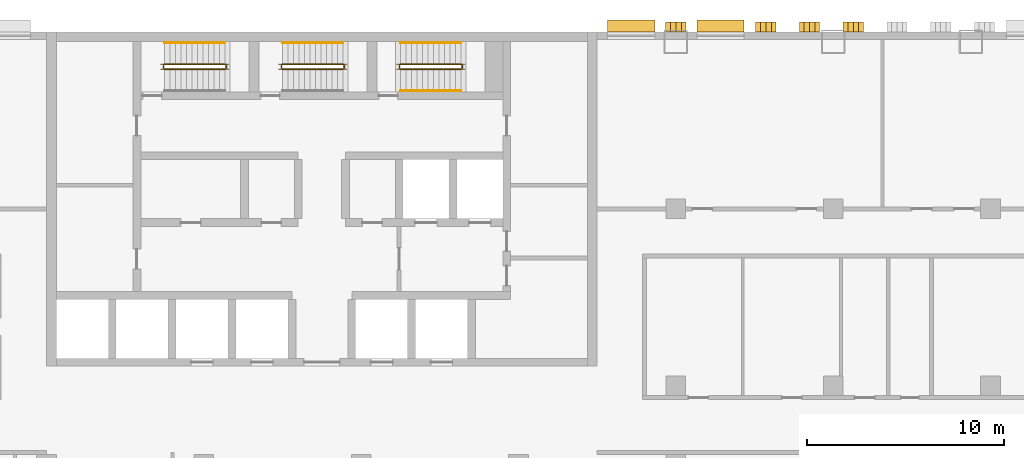
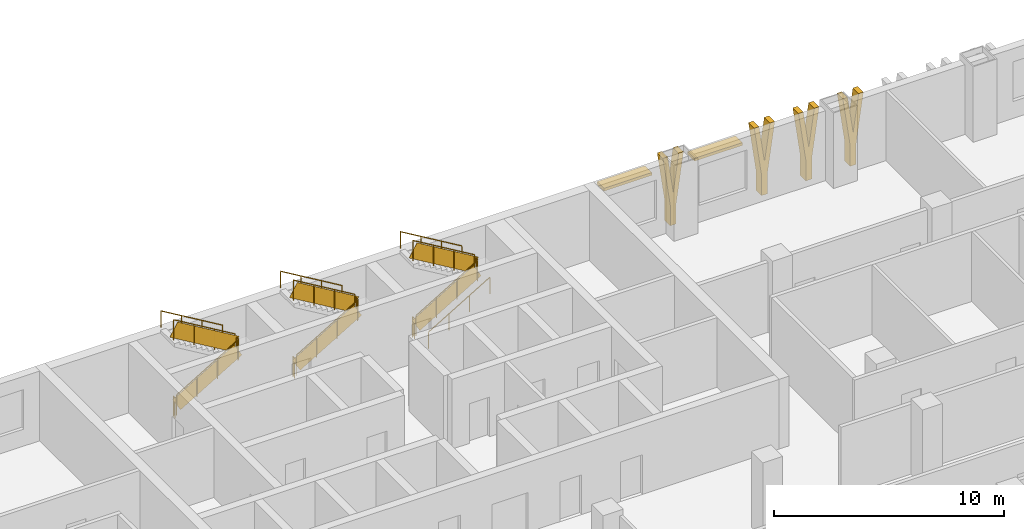
# One storey, part 24 of 25: 16 railings, 6 shading devices.
"""IFC4 building model written with IfcOpenShell, lengths in metres."""

from ifc_helpers import new_model, si_unit, direction, frame, origin, origin_2d, place, context, subcontext, project, spatial, polyline, rectangle, circle, outline, extrude, material, layer, layer_set, type_object, element, save


model = new_model("IFC4")

# Units and contexts
model_context = context("Model", 3, precision=1e-05, world=origin(), true_north=direction((0.0, 1.0)))
body_context = subcontext(model_context, "Body", "Model", "MODEL_VIEW")
ifc_project = project(units=[si_unit("LENGTHUNIT", "METRE"), si_unit("AREAUNIT", "SQUARE_METRE"), si_unit("VOLUMEUNIT", "CUBIC_METRE"), si_unit("PLANEANGLEUNIT", "RADIAN"), si_unit("MASSUNIT", "GRAM", prefix="KILO")], contexts=[model_context])

# Site, building, storey
site_placement = place(None, origin())
site = spatial("IfcSite", under=ifc_project, at=site_placement, CompositionType="ELEMENT")
building_placement = place(site_placement, origin())
building = spatial("IfcBuilding", under=site, at=building_placement, Name="Vidyagriha Tower", CompositionType="ELEMENT")
storey_placement = place(building_placement, frame((0.0, 0.0, 14.0)))
storey = spatial("IfcBuildingStorey", under=building, at=storey_placement, Name="L03", CompositionType="ELEMENT", Elevation=14.0)

# Shading devices
ifc_material_1 = material(Name="Precast concrete C40/50 with brick facing", Category="concrete")
ifc_layer_1 = layer(ifc_material_1, 0.14990234375)
ifc_layer_set_1 = layer_set([ifc_layer_1], Name="Precast concrete C40/50 with brick facing")
shading_device_type_1 = type_object("IfcShadingDeviceType", Name="Brick chhajja window hood", PredefinedType="AWNING", material=ifc_layer_set_1)
for number, where, z_axis, x_axis, name in (
    (1, (20.264892578125, 20.300048828125, 3.0), (0.0, 0.0, 1.0), (-1.0, 0.0, 0.0), "Window hood L03 R02.12"),
    (2, (15.735107421875, 20.300048828125, 3.0), (0.0, 0.0, 1.0), (-1.0, 0.0, 0.0), "Window hood L03 R02.14"),
):
    element("IfcShadingDevice", number, at=place(storey_placement, frame(where, z_axis=z_axis, x_axis=x_axis)), inside=storey, type_object=shading_device_type_1, Name=name, PredefinedType="AWNING", context=body_context, shape_type="SweptSolid", body=[
        extrude(rectangle(XDim=2.39990234375, YDim=0.60009765625, at=origin_2d()), origin(), (0.0, 0.0, 1.0), 0.14990234375),
    ])
ifc_material_2 = material(Name="Precast concrete C40/50 with buff brick facing", Category="concrete")
ifc_layer_2 = layer(ifc_material_2, 0.300048828125)
ifc_layer_set_2 = layer_set([ifc_layer_2], Name="Precast concrete C40/50 with buff brick facing")
shading_device_type_2 = type_object("IfcShadingDeviceType", Name="Brick-faced podium blade forking 8 degrees", PredefinedType="USERDEFINED", material=ifc_layer_set_2)
for number, where, z_axis, x_axis, name in (
    (3, (27.53662109375, 20.25, 0.0), (0.0, 0.0, 1.0), (-1.0, 0.0, 0.0), "Podium blade L03 R02.1258"),
    (4, (25.314208984375, 20.25, 0.0), (0.0, 0.0, 1.0), (-1.0, 0.0, 0.0), "Podium blade L03 R02.1480"),
    (5, (23.091796875, 20.25, 0.0), (0.0, 0.0, 1.0), (-1.0, 0.0, 0.0), "Podium blade L03 R02.1702"),
    (6, (18.515380859375, 20.25, 0.0), (0.0, 0.0, 1.0), (-1.0, 0.0, 0.0), "Podium blade L03 R02.2160"),
):
    element("IfcShadingDevice", number, at=place(storey_placement, frame(where, z_axis=z_axis, x_axis=x_axis)), inside=storey, type_object=shading_device_type_2, Name=name, ObjectType="BLADE FIN", PredefinedType="USERDEFINED", context=body_context, shape_type="SweptSolid", body=[
        extrude(outline(polyline([(0.665283203125, 0.0), (0.665283203125, 1.10009765625), (1.03076171875, 3.699951171875), (0.790771484375, 3.699951171875), (0.515380859375, 1.740478515625), (0.239990234375, 3.699951171875), (0.0, 3.699951171875), (0.365478515625, 1.10009765625), (0.365478515625, 0.0), (0.665283203125, 0.0)])), frame((0.0, 0.25, 0.0), z_axis=(0.0, -1.0, 0.0), x_axis=(1.0, 0.0, 0.0)), (0.0, 0.0, 1.0), 0.5),
    ])

# Railings
ifc_material_3 = material(Name="Steel ASTM A500 Grade C", Category="steel")
railing_type_1 = type_object("IfcRailingType", Name="Stair guard 1100 mm, steel balustrade", PredefinedType="GUARDRAIL", material=ifc_material_3)
railing_1_placement = place(storey_placement, frame((-8.0, 18.10009765625, 0.166748046875)))
element("IfcRailing", 7, at=railing_1_placement, inside=storey, type_object=railing_type_1, Name="L03 ST1 stair guard 1", PredefinedType="GUARDRAIL", context=body_context, shape_type="SweptSolid", body=[
    extrude(circle(Radius=0.02392578125, at=origin_2d()), frame((0.0, 0.0, 1.076171875), z_axis=(0.859308565015, 0.0, 0.511457515432), x_axis=(0.0, 1.0, 0.0)), (0.0, 0.0, 1.0), 3.58447265625),
    extrude(circle(Radius=0.02099609375, at=origin_2d()), origin(), (0.0, 0.0, 1.0), 1.052001953125),
    extrude(circle(Radius=0.02099609375, at=origin_2d()), frame((1.026611328125, 0.0, 0.611083984375)), (0.0, 0.0, 1.0), 1.052001953125),
    extrude(circle(Radius=0.02099609375, at=origin_2d()), frame((2.053466796875, 0.0, 1.22216796875)), (0.0, 0.0, 1.0), 1.052001953125),
    extrude(circle(Radius=0.02099609375, at=origin_2d()), frame((3.080078125, 0.0, 1.833251953125)), (0.0, 0.0, 1.0), 1.052001953125),
    extrude(rectangle(XDim=0.010009765625, YDim=0.775146484375, at=origin_2d()), frame((0.0, 0.0, 0.551025390625), z_axis=(0.859308565015, 0.0, 0.511457515432), x_axis=(0.0, 1.0, 0.0)), (0.0, 0.0, 1.0), 3.58447265625),
])
railing_2_placement = place(storey_placement, frame((-4.8701171875, 18.14990234375, 2.0)))
element("IfcRailing", 8, at=railing_2_placement, inside=storey, type_object=railing_type_1, Name="L03 ST1 stair guard 2", PredefinedType="GUARDRAIL", context=body_context, shape_type="SweptSolid", body=[
    extrude(circle(Radius=0.02392578125, at=origin_2d()), frame((0.0, 0.0, 1.076171875), z_axis=(0.0, 1.0, 0.0), x_axis=(-1.0, 0.0, 0.0)), (0.0, 0.0, 1.0), 0.150146484375),
    extrude(circle(Radius=0.02099609375, at=origin_2d()), origin(), (0.0, 0.0, 1.0), 1.052001953125),
    extrude(circle(Radius=0.02099609375, at=origin_2d()), frame((0.0, 0.150146484375, 0.0)), (0.0, 0.0, 1.0), 1.052001953125),
    extrude(rectangle(XDim=0.010009765625, YDim=0.902099609375, at=origin_2d()), frame((0.0, 0.0, 0.551025390625), z_axis=(0.0, 1.0, 0.0), x_axis=(-1.0, 0.0, 0.0)), (0.0, 0.0, 1.0), 0.150146484375),
])
railing_3_placement = place(storey_placement, frame((-4.919921875, 18.35009765625, 2.166748046875)))
element("IfcRailing", 9, at=railing_3_placement, inside=storey, type_object=railing_type_1, Name="L03 ST1 stair guard 3", PredefinedType="GUARDRAIL", context=body_context, shape_type="SweptSolid", body=[
    extrude(circle(Radius=0.02392578125, at=origin_2d()), frame((0.0, 0.0, 1.076171875), z_axis=(-0.859308565015, 0.0, 0.511457515432), x_axis=(0.0, -1.0, 0.0)), (0.0, 0.0, 1.0), 3.58447265625),
    extrude(circle(Radius=0.02099609375, at=origin_2d()), origin(), (0.0, 0.0, 1.0), 1.052001953125),
    extrude(circle(Radius=0.02099609375, at=origin_2d()), frame((-1.026611328125, 0.0, 0.611083984375)), (0.0, 0.0, 1.0), 1.052001953125),
    extrude(circle(Radius=0.02099609375, at=origin_2d()), frame((-2.053466796875, 0.0, 1.22216796875)), (0.0, 0.0, 1.0), 1.052001953125),
    extrude(circle(Radius=0.02099609375, at=origin_2d()), frame((-3.080078125, 0.0, 1.833251953125)), (0.0, 0.0, 1.0), 1.052001953125),
    extrude(rectangle(XDim=0.010009765625, YDim=0.775146484375, at=origin_2d()), frame((0.0, 0.0, 0.551025390625), z_axis=(-0.859308565015, 0.0, 0.511457515432), x_axis=(0.0, -1.0, 0.0)), (0.0, 0.0, 1.0), 3.58447265625),
])
railing_4_placement = place(storey_placement, frame((-8.050048828125, 18.14990234375, 0.0)))
element("IfcRailing", 10, at=railing_4_placement, inside=storey, type_object=railing_type_1, Name="L03 ST1 stair guard 4", PredefinedType="GUARDRAIL", context=body_context, shape_type="SweptSolid", body=[
    extrude(circle(Radius=0.02392578125, at=origin_2d()), frame((0.0, 0.0, 1.076171875), z_axis=(0.0, 1.0, 0.0), x_axis=(-1.0, 0.0, 0.0)), (0.0, 0.0, 1.0), 0.150146484375),
    extrude(circle(Radius=0.02099609375, at=origin_2d()), origin(), (0.0, 0.0, 1.0), 1.052001953125),
    extrude(circle(Radius=0.02099609375, at=origin_2d()), frame((0.0, 0.150146484375, 0.0)), (0.0, 0.0, 1.0), 1.052001953125),
    extrude(rectangle(XDim=0.010009765625, YDim=0.902099609375, at=origin_2d()), frame((0.0, 0.0, 0.551025390625), z_axis=(0.0, 1.0, 0.0), x_axis=(-1.0, 0.0, 0.0)), (0.0, 0.0, 1.0), 0.150146484375),
])
railing_5_placement = place(storey_placement, frame((-2.0, 18.10009765625, 0.166748046875)))
element("IfcRailing", 11, at=railing_5_placement, inside=storey, type_object=railing_type_1, Name="L03 ST2 stair guard 1", PredefinedType="GUARDRAIL", context=body_context, shape_type="SweptSolid", body=[
    extrude(circle(Radius=0.02392578125, at=origin_2d()), frame((0.0, 0.0, 1.076171875), z_axis=(0.859308565015, 0.0, 0.511457515432), x_axis=(0.0, 1.0, 0.0)), (0.0, 0.0, 1.0), 3.58447265625),
    extrude(circle(Radius=0.02099609375, at=origin_2d()), origin(), (0.0, 0.0, 1.0), 1.052001953125),
    extrude(circle(Radius=0.02099609375, at=origin_2d()), frame((1.026611328125, 0.0, 0.611083984375)), (0.0, 0.0, 1.0), 1.052001953125),
    extrude(circle(Radius=0.02099609375, at=origin_2d()), frame((2.053466796875, 0.0, 1.22216796875)), (0.0, 0.0, 1.0), 1.052001953125),
    extrude(circle(Radius=0.02099609375, at=origin_2d()), frame((3.080078125, 0.0, 1.833251953125)), (0.0, 0.0, 1.0), 1.052001953125),
    extrude(rectangle(XDim=0.010009765625, YDim=0.775146484375, at=origin_2d()), frame((0.0, 0.0, 0.551025390625), z_axis=(0.859308565015, 0.0, 0.511457515432), x_axis=(0.0, 1.0, 0.0)), (0.0, 0.0, 1.0), 3.58447265625),
])
railing_6_placement = place(storey_placement, frame((1.1298828125, 18.14990234375, 2.0)))
element("IfcRailing", 12, at=railing_6_placement, inside=storey, type_object=railing_type_1, Name="L03 ST2 stair guard 2", PredefinedType="GUARDRAIL", context=body_context, shape_type="SweptSolid", body=[
    extrude(circle(Radius=0.02392578125, at=origin_2d()), frame((0.0, 0.0, 1.076171875), z_axis=(0.0, 1.0, 0.0), x_axis=(-1.0, 0.0, 0.0)), (0.0, 0.0, 1.0), 0.150146484375),
    extrude(circle(Radius=0.02099609375, at=origin_2d()), origin(), (0.0, 0.0, 1.0), 1.052001953125),
    extrude(circle(Radius=0.02099609375, at=origin_2d()), frame((0.0, 0.150146484375, 0.0)), (0.0, 0.0, 1.0), 1.052001953125),
    extrude(rectangle(XDim=0.010009765625, YDim=0.902099609375, at=origin_2d()), frame((0.0, 0.0, 0.551025390625), z_axis=(0.0, 1.0, 0.0), x_axis=(-1.0, 0.0, 0.0)), (0.0, 0.0, 1.0), 0.150146484375),
])
railing_7_placement = place(storey_placement, frame((1.080078125, 18.35009765625, 2.166748046875)))
element("IfcRailing", 13, at=railing_7_placement, inside=storey, type_object=railing_type_1, Name="L03 ST2 stair guard 3", PredefinedType="GUARDRAIL", context=body_context, shape_type="SweptSolid", body=[
    extrude(circle(Radius=0.02392578125, at=origin_2d()), frame((0.0, 0.0, 1.076171875), z_axis=(-0.859308565015, 0.0, 0.511457515432), x_axis=(0.0, -1.0, 0.0)), (0.0, 0.0, 1.0), 3.58447265625),
    extrude(circle(Radius=0.02099609375, at=origin_2d()), origin(), (0.0, 0.0, 1.0), 1.052001953125),
    extrude(circle(Radius=0.02099609375, at=origin_2d()), frame((-1.026611328125, 0.0, 0.611083984375)), (0.0, 0.0, 1.0), 1.052001953125),
    extrude(circle(Radius=0.02099609375, at=origin_2d()), frame((-2.053466796875, 0.0, 1.22216796875)), (0.0, 0.0, 1.0), 1.052001953125),
    extrude(circle(Radius=0.02099609375, at=origin_2d()), frame((-3.080078125, 0.0, 1.833251953125)), (0.0, 0.0, 1.0), 1.052001953125),
    extrude(rectangle(XDim=0.010009765625, YDim=0.775146484375, at=origin_2d()), frame((0.0, 0.0, 0.551025390625), z_axis=(-0.859308565015, 0.0, 0.511457515432), x_axis=(0.0, -1.0, 0.0)), (0.0, 0.0, 1.0), 3.58447265625),
])
railing_8_placement = place(storey_placement, frame((-2.050048828125, 18.14990234375, 0.0)))
element("IfcRailing", 14, at=railing_8_placement, inside=storey, type_object=railing_type_1, Name="L03 ST2 stair guard 4", PredefinedType="GUARDRAIL", context=body_context, shape_type="SweptSolid", body=[
    extrude(circle(Radius=0.02392578125, at=origin_2d()), frame((0.0, 0.0, 1.076171875), z_axis=(0.0, 1.0, 0.0), x_axis=(-1.0, 0.0, 0.0)), (0.0, 0.0, 1.0), 0.150146484375),
    extrude(circle(Radius=0.02099609375, at=origin_2d()), origin(), (0.0, 0.0, 1.0), 1.052001953125),
    extrude(circle(Radius=0.02099609375, at=origin_2d()), frame((0.0, 0.150146484375, 0.0)), (0.0, 0.0, 1.0), 1.052001953125),
    extrude(rectangle(XDim=0.010009765625, YDim=0.902099609375, at=origin_2d()), frame((0.0, 0.0, 0.551025390625), z_axis=(0.0, 1.0, 0.0), x_axis=(-1.0, 0.0, 0.0)), (0.0, 0.0, 1.0), 0.150146484375),
])
railing_9_placement = place(storey_placement, frame((4.0, 18.10009765625, 0.166748046875)))
element("IfcRailing", 15, at=railing_9_placement, inside=storey, type_object=railing_type_1, Name="L03 ST3 stair guard 1", PredefinedType="GUARDRAIL", context=body_context, shape_type="SweptSolid", body=[
    extrude(circle(Radius=0.02392578125, at=origin_2d()), frame((0.0, 0.0, 1.076171875), z_axis=(0.859308565015, 0.0, 0.511457515432), x_axis=(0.0, 1.0, 0.0)), (0.0, 0.0, 1.0), 3.58447265625),
    extrude(circle(Radius=0.02099609375, at=origin_2d()), origin(), (0.0, 0.0, 1.0), 1.052001953125),
    extrude(circle(Radius=0.02099609375, at=origin_2d()), frame((1.026611328125, 0.0, 0.611083984375)), (0.0, 0.0, 1.0), 1.052001953125),
    extrude(circle(Radius=0.02099609375, at=origin_2d()), frame((2.053466796875, 0.0, 1.22216796875)), (0.0, 0.0, 1.0), 1.052001953125),
    extrude(circle(Radius=0.02099609375, at=origin_2d()), frame((3.080078125, 0.0, 1.833251953125)), (0.0, 0.0, 1.0), 1.052001953125),
    extrude(rectangle(XDim=0.010009765625, YDim=0.775146484375, at=origin_2d()), frame((0.0, 0.0, 0.551025390625), z_axis=(0.859308565015, 0.0, 0.511457515432), x_axis=(0.0, 1.0, 0.0)), (0.0, 0.0, 1.0), 3.58447265625),
])
railing_10_placement = place(storey_placement, frame((7.1298828125, 18.14990234375, 2.0)))
element("IfcRailing", 16, at=railing_10_placement, inside=storey, type_object=railing_type_1, Name="L03 ST3 stair guard 2", PredefinedType="GUARDRAIL", context=body_context, shape_type="SweptSolid", body=[
    extrude(circle(Radius=0.02392578125, at=origin_2d()), frame((0.0, 0.0, 1.076171875), z_axis=(0.0, 1.0, 0.0), x_axis=(-1.0, 0.0, 0.0)), (0.0, 0.0, 1.0), 0.150146484375),
    extrude(circle(Radius=0.02099609375, at=origin_2d()), origin(), (0.0, 0.0, 1.0), 1.052001953125),
    extrude(circle(Radius=0.02099609375, at=origin_2d()), frame((0.0, 0.150146484375, 0.0)), (0.0, 0.0, 1.0), 1.052001953125),
    extrude(rectangle(XDim=0.010009765625, YDim=0.902099609375, at=origin_2d()), frame((0.0, 0.0, 0.551025390625), z_axis=(0.0, 1.0, 0.0), x_axis=(-1.0, 0.0, 0.0)), (0.0, 0.0, 1.0), 0.150146484375),
])
railing_11_placement = place(storey_placement, frame((7.080078125, 18.35009765625, 2.166748046875)))
element("IfcRailing", 17, at=railing_11_placement, inside=storey, type_object=railing_type_1, Name="L03 ST3 stair guard 3", PredefinedType="GUARDRAIL", context=body_context, shape_type="SweptSolid", body=[
    extrude(circle(Radius=0.02392578125, at=origin_2d()), frame((0.0, 0.0, 1.076171875), z_axis=(-0.859308565015, 0.0, 0.511457515432), x_axis=(0.0, -1.0, 0.0)), (0.0, 0.0, 1.0), 3.58447265625),
    extrude(circle(Radius=0.02099609375, at=origin_2d()), origin(), (0.0, 0.0, 1.0), 1.052001953125),
    extrude(circle(Radius=0.02099609375, at=origin_2d()), frame((-1.026611328125, 0.0, 0.611083984375)), (0.0, 0.0, 1.0), 1.052001953125),
    extrude(circle(Radius=0.02099609375, at=origin_2d()), frame((-2.053466796875, 0.0, 1.22216796875)), (0.0, 0.0, 1.0), 1.052001953125),
    extrude(circle(Radius=0.02099609375, at=origin_2d()), frame((-3.080078125, 0.0, 1.833251953125)), (0.0, 0.0, 1.0), 1.052001953125),
    extrude(rectangle(XDim=0.010009765625, YDim=0.775146484375, at=origin_2d()), frame((0.0, 0.0, 0.551025390625), z_axis=(-0.859308565015, 0.0, 0.511457515432), x_axis=(0.0, -1.0, 0.0)), (0.0, 0.0, 1.0), 3.58447265625),
])
railing_12_placement = place(storey_placement, frame((3.949951171875, 18.14990234375, 0.0)))
element("IfcRailing", 18, at=railing_12_placement, inside=storey, type_object=railing_type_1, Name="L03 ST3 stair guard 4", PredefinedType="GUARDRAIL", context=body_context, shape_type="SweptSolid", body=[
    extrude(circle(Radius=0.02392578125, at=origin_2d()), frame((0.0, 0.0, 1.076171875), z_axis=(0.0, 1.0, 0.0), x_axis=(-1.0, 0.0, 0.0)), (0.0, 0.0, 1.0), 0.150146484375),
    extrude(circle(Radius=0.02099609375, at=origin_2d()), origin(), (0.0, 0.0, 1.0), 1.052001953125),
    extrude(circle(Radius=0.02099609375, at=origin_2d()), frame((0.0, 0.150146484375, 0.0)), (0.0, 0.0, 1.0), 1.052001953125),
    extrude(rectangle(XDim=0.010009765625, YDim=0.902099609375, at=origin_2d()), frame((0.0, 0.0, 0.551025390625), z_axis=(0.0, 1.0, 0.0), x_axis=(-1.0, 0.0, 0.0)), (0.0, 0.0, 1.0), 0.150146484375),
])
ifc_material_4 = material(Name="Steel ASTM A500 Grade C", Category="steel")
railing_type_2 = type_object("IfcRailingType", Name="Stair handrail 900 mm, steel", PredefinedType="HANDRAIL", material=ifc_material_4)
for number, where, name in (
    (19, (-4.919921875, 19.449951171875, 2.166748046875), "L03 ST1 stair handrail 2"),
    (20, (1.080078125, 19.449951171875, 2.166748046875), "L03 ST2 stair handrail 2"),
):
    element("IfcRailing", number, at=place(storey_placement, frame(where)), inside=storey, type_object=railing_type_2, Name=name, PredefinedType="HANDRAIL", context=body_context, shape_type="SweptSolid", body=[
        extrude(circle(Radius=0.02392578125, at=origin_2d()), frame((0.0, 0.0, 0.8759765625), z_axis=(-0.859308565015, 0.0, 0.511457515432), x_axis=(0.0, -1.0, 0.0)), (0.0, 0.0, 1.0), 3.58447265625),
        extrude(circle(Radius=0.02099609375, at=origin_2d()), origin(), (0.0, 0.0, 1.0), 0.851806640625),
        extrude(circle(Radius=0.02099609375, at=origin_2d()), frame((-1.026611328125, 0.0, 0.611083984375)), (0.0, 0.0, 1.0), 0.851806640625),
        extrude(circle(Radius=0.02099609375, at=origin_2d()), frame((-2.053466796875, 0.0, 1.22216796875)), (0.0, 0.0, 1.0), 0.851806640625),
        extrude(circle(Radius=0.02099609375, at=origin_2d()), frame((-3.080078125, 0.0, 1.833251953125)), (0.0, 0.0, 1.0), 0.851806640625),
    ])
railing_13_placement = place(storey_placement, frame((4.0, 17.0, 0.166748046875)))
element("IfcRailing", 21, at=railing_13_placement, inside=storey, type_object=railing_type_2, Name="L03 ST3 stair handrail 1", PredefinedType="HANDRAIL", context=body_context, shape_type="SweptSolid", body=[
    extrude(circle(Radius=0.02392578125, at=origin_2d()), frame((0.0, 0.0, 0.8759765625), z_axis=(0.859308565015, 0.0, 0.511457515432), x_axis=(0.0, 1.0, 0.0)), (0.0, 0.0, 1.0), 3.58447265625),
    extrude(circle(Radius=0.02099609375, at=origin_2d()), origin(), (0.0, 0.0, 1.0), 0.851806640625),
    extrude(circle(Radius=0.02099609375, at=origin_2d()), frame((1.026611328125, 0.0, 0.611083984375)), (0.0, 0.0, 1.0), 0.851806640625),
    extrude(circle(Radius=0.02099609375, at=origin_2d()), frame((2.053466796875, 0.0, 1.22216796875)), (0.0, 0.0, 1.0), 0.851806640625),
    extrude(circle(Radius=0.02099609375, at=origin_2d()), frame((3.080078125, 0.0, 1.833251953125)), (0.0, 0.0, 1.0), 0.851806640625),
])
railing_14_placement = place(storey_placement, frame((7.080078125, 19.449951171875, 2.166748046875)))
element("IfcRailing", 22, at=railing_14_placement, inside=storey, type_object=railing_type_2, Name="L03 ST3 stair handrail 2", PredefinedType="HANDRAIL", context=body_context, shape_type="SweptSolid", body=[
    extrude(circle(Radius=0.02392578125, at=origin_2d()), frame((0.0, 0.0, 0.8759765625), z_axis=(-0.859308565015, 0.0, 0.511457515432), x_axis=(0.0, -1.0, 0.0)), (0.0, 0.0, 1.0), 3.58447265625),
    extrude(circle(Radius=0.02099609375, at=origin_2d()), origin(), (0.0, 0.0, 1.0), 0.851806640625),
    extrude(circle(Radius=0.02099609375, at=origin_2d()), frame((-1.026611328125, 0.0, 0.611083984375)), (0.0, 0.0, 1.0), 0.851806640625),
    extrude(circle(Radius=0.02099609375, at=origin_2d()), frame((-2.053466796875, 0.0, 1.22216796875)), (0.0, 0.0, 1.0), 0.851806640625),
    extrude(circle(Radius=0.02099609375, at=origin_2d()), frame((-3.080078125, 0.0, 1.833251953125)), (0.0, 0.0, 1.0), 0.851806640625),
])

save(model, "model.ifc")
